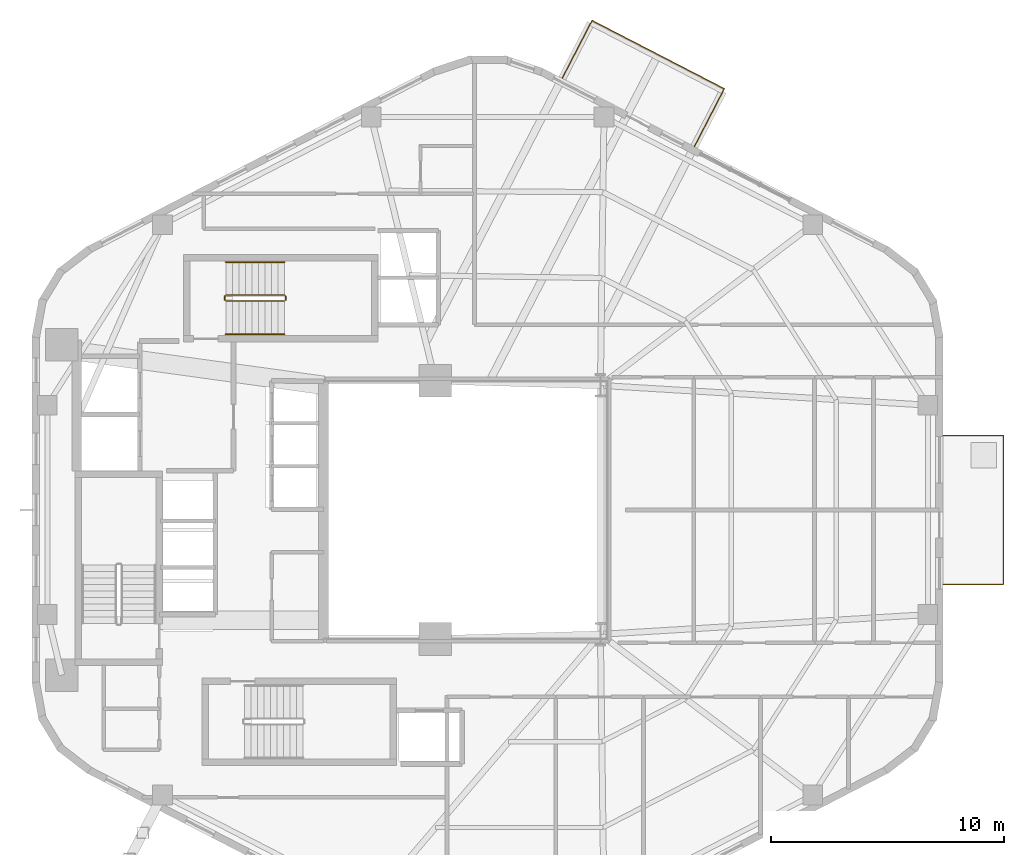
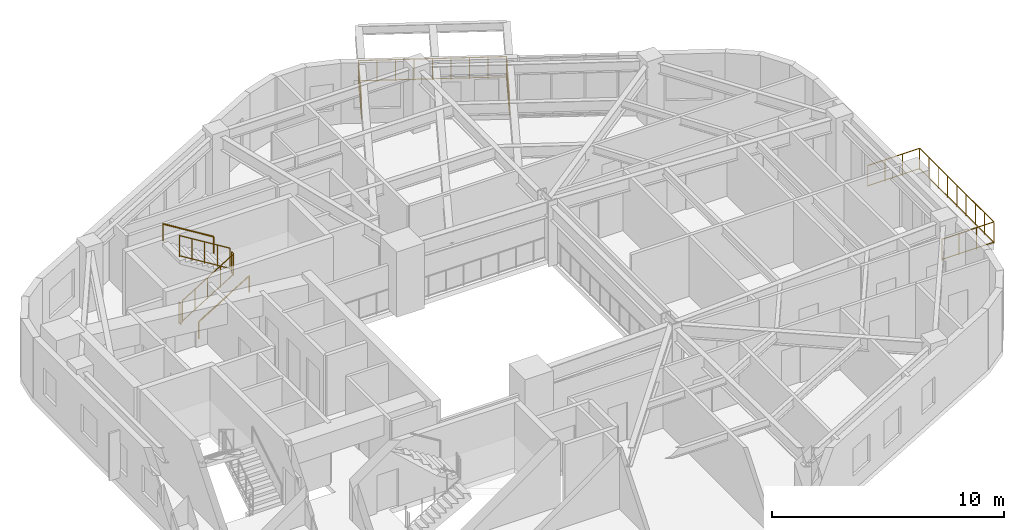
# One storey, part 11 of 11: 8 railings.
"""IFC4 building model written with IfcOpenShell, lengths in metres."""

from ifc_helpers import new_model, si_unit, direction, frame, origin, origin_2d, place, context, subcontext, project, spatial, circle, extrude, material, type_object, element, save


model = new_model("IFC4")

# Units and contexts
model_context = context("Model", 3, precision=1e-05, world=origin(), true_north=direction((0.0, 1.0)))
body_context = subcontext(model_context, "Body", "Model", "MODEL_VIEW")
ifc_project = project(units=[si_unit("LENGTHUNIT", "METRE"), si_unit("AREAUNIT", "SQUARE_METRE"), si_unit("VOLUMEUNIT", "CUBIC_METRE"), si_unit("PLANEANGLEUNIT", "RADIAN"), si_unit("MASSUNIT", "GRAM", prefix="KILO"), si_unit("THERMODYNAMICTEMPERATUREUNIT", "KELVIN"), si_unit("POWERUNIT", "WATT")], contexts=[model_context])

# Site, building, storey
site_placement = place(None, origin())
site = spatial("IfcSite", under=ifc_project, at=site_placement, CompositionType="ELEMENT")
building_placement = place(site_placement, origin())
building = spatial("IfcBuilding", under=site, at=building_placement, Name="Skarre Station Tower", CompositionType="ELEMENT")
storey_placement = place(building_placement, frame((0.0, 0.0, 167.10009765625)))
storey = spatial("IfcBuildingStorey", under=building, at=storey_placement, Name="L45", CompositionType="ELEMENT", Elevation=167.10009765625)

# Railings
ifc_material_1 = material(Name="Stainless Steel Grade 316L & Laminated Safety Glass", Category="steel")
railing_type_1 = type_object("IfcRailingType", Name="Laminated Glass & Stainless Terrace Guardrail 1150", PredefinedType="BALUSTRADE", material=ifc_material_1)
railing_1_placement = place(storey_placement, frame((37.81103515625, 42.554931640625, 0.0)))
element("IfcRailing", 1, at=railing_1_placement, inside=storey, type_object=railing_type_1, Name="L45 SG-2 Conservatory Terrace Guardrail", PredefinedType="BALUSTRADE", context=body_context, shape_type="SweptSolid", body=[
    extrude(circle(Radius=0.02392578125, at=origin_2d()), frame((0.0, 0.0, 1.1259765625), z_axis=(0.458520300299, 0.888683933811, 0.0), x_axis=(-0.888683933811, 0.458520300299, 0.0)), (0.0, 0.0, 1.0), 2.78955078125),
    extrude(circle(Radius=0.02099609375, at=origin_2d()), frame((0.0, 0.0, 0.06005859375), z_axis=(0.458520300299, 0.888683933811, 0.0), x_axis=(-0.888683933811, 0.458520300299, 0.0)), (0.0, 0.0, 1.0), 2.78955078125),
    extrude(circle(Radius=0.02392578125, at=origin_2d()), frame((1.279052734375, 2.47900390625, 1.1259765625), z_axis=(0.888635212, -0.458614718467, 0.0), x_axis=(0.458614718467, 0.888635212, 0.0)), (0.0, 0.0, 1.0), 6.39501953125),
    extrude(circle(Radius=0.02099609375, at=origin_2d()), frame((1.279052734375, 2.47900390625, 0.06005859375), z_axis=(0.888635212, -0.458614718467, 0.0), x_axis=(0.458614718467, 0.888635212, 0.0)), (0.0, 0.0, 1.0), 6.39501953125),
    extrude(circle(Radius=0.02392578125, at=origin_2d()), frame((6.9619140625, -0.453857421875, 1.1259765625), z_axis=(-0.458796714428, -0.888541262312, 0.0), x_axis=(0.888541262312, -0.458796714428, 0.0)), (0.0, 0.0, 1.0), 2.7900390625),
    extrude(circle(Radius=0.02099609375, at=origin_2d()), frame((6.9619140625, -0.453857421875, 0.06005859375), z_axis=(-0.458796714428, -0.888541262312, 0.0), x_axis=(0.888541262312, -0.458796714428, 0.0)), (0.0, 0.0, 1.0), 2.7900390625),
    extrude(circle(Radius=0.02099609375, at=origin_2d()), origin(), (0.0, 0.0, 1.0), 1.101806640625),
    extrude(circle(Radius=0.02099609375, at=origin_2d()), frame((0.31982421875, 0.61962890625, 0.0)), (0.0, 0.0, 1.0), 1.101806640625),
    extrude(circle(Radius=0.02099609375, at=origin_2d()), frame((0.6396484375, 1.239501953125, 0.0)), (0.0, 0.0, 1.0), 1.101806640625),
    extrude(circle(Radius=0.02099609375, at=origin_2d()), frame((0.959228515625, 1.859375, 0.0)), (0.0, 0.0, 1.0), 1.101806640625),
    extrude(circle(Radius=0.02099609375, at=origin_2d()), frame((1.279052734375, 2.47900390625, 0.0)), (0.0, 0.0, 1.0), 1.101806640625),
    extrude(circle(Radius=0.02099609375, at=origin_2d()), frame((1.989501953125, 2.1123046875, 0.0)), (0.0, 0.0, 1.0), 1.101806640625),
    extrude(circle(Radius=0.02099609375, at=origin_2d()), frame((2.69970703125, 1.745849609375, 0.0)), (0.0, 0.0, 1.0), 1.101806640625),
    extrude(circle(Radius=0.02099609375, at=origin_2d()), frame((3.41015625, 1.379150390625, 0.0)), (0.0, 0.0, 1.0), 1.101806640625),
    extrude(circle(Radius=0.02099609375, at=origin_2d()), frame((4.12060546875, 1.0126953125, 0.0)), (0.0, 0.0, 1.0), 1.101806640625),
    extrude(circle(Radius=0.02099609375, at=origin_2d()), frame((4.830810546875, 0.64599609375, 0.0)), (0.0, 0.0, 1.0), 1.101806640625),
    extrude(circle(Radius=0.02099609375, at=origin_2d()), frame((5.541259765625, 0.279296875, 0.0)), (0.0, 0.0, 1.0), 1.101806640625),
    extrude(circle(Radius=0.02099609375, at=origin_2d()), frame((6.25146484375, -0.087158203125, 0.0)), (0.0, 0.0, 1.0), 1.101806640625),
    extrude(circle(Radius=0.02099609375, at=origin_2d()), frame((6.9619140625, -0.453857421875, 0.0)), (0.0, 0.0, 1.0), 1.101806640625),
    extrude(circle(Radius=0.02099609375, at=origin_2d()), frame((6.641845703125, -1.07373046875, 0.0)), (0.0, 0.0, 1.0), 1.101806640625),
    extrude(circle(Radius=0.02099609375, at=origin_2d()), frame((6.32177734375, -1.693359375, 0.0)), (0.0, 0.0, 1.0), 1.101806640625),
    extrude(circle(Radius=0.02099609375, at=origin_2d()), frame((6.001953125, -2.31298828125, 0.0)), (0.0, 0.0, 1.0), 1.101806640625),
    extrude(circle(Radius=0.02099609375, at=origin_2d()), frame((5.681884765625, -2.932861328125, 0.0)), (0.0, 0.0, 1.0), 1.101806640625),
])
railing_2_placement = place(storey_placement, frame((54.181884765625, 20.800048828125, 0.0)))
element("IfcRailing", 2, at=railing_2_placement, inside=storey, type_object=railing_type_1, Name="L45 TB-L45-F5 Tree-Balcony Guardrail", PredefinedType="BALUSTRADE", context=body_context, shape_type="SweptSolid", body=[
    extrude(circle(Radius=0.02392578125, at=origin_2d()), frame((0.0, 0.0, 1.1259765625), z_axis=(1.0, 0.0, 0.0), x_axis=(0.0, 1.0, 0.0)), (0.0, 0.0, 1.0), 2.590087890625),
    extrude(circle(Radius=0.02099609375, at=origin_2d()), frame((0.0, 0.0, 0.06005859375), z_axis=(1.0, 0.0, 0.0), x_axis=(0.0, 1.0, 0.0)), (0.0, 0.0, 1.0), 2.590087890625),
    extrude(circle(Radius=0.02392578125, at=origin_2d()), frame((2.590087890625, 0.0, 1.1259765625), z_axis=(0.0, 1.0, 0.0), x_axis=(-1.0, 0.0, 0.0)), (0.0, 0.0, 1.0), 6.39990234375),
    extrude(circle(Radius=0.02099609375, at=origin_2d()), frame((2.590087890625, 0.0, 0.06005859375), z_axis=(0.0, 1.0, 0.0), x_axis=(-1.0, 0.0, 0.0)), (0.0, 0.0, 1.0), 6.39990234375),
    extrude(circle(Radius=0.02392578125, at=origin_2d()), frame((2.590087890625, 6.39990234375, 1.1259765625), z_axis=(-1.0, 0.0, 0.0), x_axis=(0.0, -1.0, 0.0)), (0.0, 0.0, 1.0), 2.590087890625),
    extrude(circle(Radius=0.02099609375, at=origin_2d()), frame((2.590087890625, 6.39990234375, 0.06005859375), z_axis=(-1.0, 0.0, 0.0), x_axis=(0.0, -1.0, 0.0)), (0.0, 0.0, 1.0), 2.590087890625),
    extrude(circle(Radius=0.02099609375, at=origin_2d()), origin(), (0.0, 0.0, 1.0), 1.101806640625),
    extrude(circle(Radius=0.02099609375, at=origin_2d()), frame((0.86328125, 0.0, 0.0)), (0.0, 0.0, 1.0), 1.101806640625),
    extrude(circle(Radius=0.02099609375, at=origin_2d()), frame((1.726806640625, 0.0, 0.0)), (0.0, 0.0, 1.0), 1.101806640625),
    extrude(circle(Radius=0.02099609375, at=origin_2d()), frame((2.590087890625, 0.0, 0.0)), (0.0, 0.0, 1.0), 1.101806640625),
    extrude(circle(Radius=0.02099609375, at=origin_2d()), frame((2.590087890625, 0.800048828125, 0.0)), (0.0, 0.0, 1.0), 1.101806640625),
    extrude(circle(Radius=0.02099609375, at=origin_2d()), frame((2.590087890625, 1.60009765625, 0.0)), (0.0, 0.0, 1.0), 1.101806640625),
    extrude(circle(Radius=0.02099609375, at=origin_2d()), frame((2.590087890625, 2.39990234375, 0.0)), (0.0, 0.0, 1.0), 1.101806640625),
    extrude(circle(Radius=0.02099609375, at=origin_2d()), frame((2.590087890625, 3.199951171875, 0.0)), (0.0, 0.0, 1.0), 1.101806640625),
    extrude(circle(Radius=0.02099609375, at=origin_2d()), frame((2.590087890625, 4.0, 0.0)), (0.0, 0.0, 1.0), 1.101806640625),
    extrude(circle(Radius=0.02099609375, at=origin_2d()), frame((2.590087890625, 4.7998046875, 0.0)), (0.0, 0.0, 1.0), 1.101806640625),
    extrude(circle(Radius=0.02099609375, at=origin_2d()), frame((2.590087890625, 5.599853515625, 0.0)), (0.0, 0.0, 1.0), 1.101806640625),
    extrude(circle(Radius=0.02099609375, at=origin_2d()), frame((2.590087890625, 6.39990234375, 0.0)), (0.0, 0.0, 1.0), 1.101806640625),
    extrude(circle(Radius=0.02099609375, at=origin_2d()), frame((1.726806640625, 6.39990234375, 0.0)), (0.0, 0.0, 1.0), 1.101806640625),
    extrude(circle(Radius=0.02099609375, at=origin_2d()), frame((0.86328125, 6.39990234375, 0.0)), (0.0, 0.0, 1.0), 1.101806640625),
    extrude(circle(Radius=0.02099609375, at=origin_2d()), frame((0.0, 6.39990234375, 0.0)), (0.0, 0.0, 1.0), 1.101806640625),
])
ifc_material_2 = material(Name="Powder-Coated Tubular Steel", Category="steel")
railing_type_2 = type_object("IfcRailingType", Name="Painted Steel Ramp & Stair Handrail 920", PredefinedType="HANDRAIL", material=ifc_material_2)
railing_3_placement = place(storey_placement, frame((23.35009765625, 31.550048828125, 0.17236328125)))
element("IfcRailing", 3, at=railing_3_placement, inside=storey, type_object=railing_type_2, Name="L45 ST-3 stair handrail 1", PredefinedType="HANDRAIL", context=body_context, shape_type="SweptSolid", body=[
    extrude(circle(Radius=0.02392578125, at=origin_2d()), frame((0.0, 0.0, 0.8759765625), z_axis=(0.851400495292, 0.0, 0.524516154772), x_axis=(0.0, 1.0, 0.0)), (0.0, 0.0, 1.0), 2.9599609375),
    extrude(circle(Radius=0.02099609375, at=origin_2d()), origin(), (0.0, 0.0, 1.0), 0.851806640625),
    extrude(circle(Radius=0.02099609375, at=origin_2d()), frame((2.52001953125, 0.0, 1.552490234375)), (0.0, 0.0, 1.0), 0.851806640625),
])
railing_4_placement = place(storey_placement, frame((25.8701171875, 34.64990234375, 1.8974609375)))
element("IfcRailing", 4, at=railing_4_placement, inside=storey, type_object=railing_type_2, Name="L45 ST-3 stair handrail 2", PredefinedType="HANDRAIL", context=body_context, shape_type="SweptSolid", body=[
    extrude(circle(Radius=0.02392578125, at=origin_2d()), frame((0.0, 0.0, 0.8759765625), z_axis=(-0.851400495292, 0.0, 0.524516154772), x_axis=(0.0, -1.0, 0.0)), (0.0, 0.0, 1.0), 2.9599609375),
    extrude(circle(Radius=0.02099609375, at=origin_2d()), origin(), (0.0, 0.0, 1.0), 0.851806640625),
    extrude(circle(Radius=0.02099609375, at=origin_2d()), frame((-2.52001953125, 0.0, 1.552490234375)), (0.0, 0.0, 1.0), 0.851806640625),
])
railing_type_3 = type_object("IfcRailingType", Name="Painted Steel Stairwell Guardrail 1100", PredefinedType="GUARDRAIL", material=ifc_material_2)
railing_5_placement = place(storey_placement, frame((23.35009765625, 32.969970703125, 0.17236328125)))
element("IfcRailing", 5, at=railing_5_placement, inside=storey, type_object=railing_type_3, Name="L45 ST-3 stair guard 1", PredefinedType="GUARDRAIL", context=body_context, shape_type="SweptSolid", body=[
    extrude(circle(Radius=0.02392578125, at=origin_2d()), frame((0.0, 0.0, 1.1259765625), z_axis=(0.851400495292, 0.0, 0.524516154772), x_axis=(0.0, 1.0, 0.0)), (0.0, 0.0, 1.0), 2.9599609375),
    extrude(circle(Radius=0.02099609375, at=origin_2d()), frame((0.0, 0.0, 0.06005859375), z_axis=(0.851400495292, 0.0, 0.524516154772), x_axis=(0.0, 1.0, 0.0)), (0.0, 0.0, 1.0), 2.9599609375),
    extrude(circle(Radius=0.02099609375, at=origin_2d()), origin(), (0.0, 0.0, 1.0), 1.101806640625),
    extrude(circle(Radius=0.02099609375, at=origin_2d()), frame((0.6298828125, 0.0, 0.38818359375)), (0.0, 0.0, 1.0), 1.101806640625),
    extrude(circle(Radius=0.02099609375, at=origin_2d()), frame((1.260009765625, 0.0, 0.7763671875)), (0.0, 0.0, 1.0), 1.101806640625),
    extrude(circle(Radius=0.02099609375, at=origin_2d()), frame((1.89013671875, 0.0, 1.164306640625)), (0.0, 0.0, 1.0), 1.101806640625),
    extrude(circle(Radius=0.02099609375, at=origin_2d()), frame((2.52001953125, 0.0, 1.552490234375)), (0.0, 0.0, 1.0), 1.101806640625),
])
railing_6_placement = place(storey_placement, frame((25.919921875, 33.02001953125, 1.724853515625)))
element("IfcRailing", 6, at=railing_6_placement, inside=storey, type_object=railing_type_3, Name="L45 ST-3 stair guard 2", PredefinedType="GUARDRAIL", context=body_context, shape_type="SweptSolid", body=[
    extrude(circle(Radius=0.02392578125, at=origin_2d()), frame((0.0, 0.0, 1.1259765625), z_axis=(0.0, 1.0, 0.0), x_axis=(-1.0, 0.0, 0.0)), (0.0, 0.0, 1.0), 0.159912109375),
    extrude(circle(Radius=0.02099609375, at=origin_2d()), frame((0.0, 0.0, 0.06005859375), z_axis=(0.0, 1.0, 0.0), x_axis=(-1.0, 0.0, 0.0)), (0.0, 0.0, 1.0), 0.159912109375),
    extrude(circle(Radius=0.02099609375, at=origin_2d()), origin(), (0.0, 0.0, 1.0), 1.101806640625),
    extrude(circle(Radius=0.02099609375, at=origin_2d()), frame((0.0, 0.159912109375, 0.0)), (0.0, 0.0, 1.0), 1.101806640625),
])
railing_7_placement = place(storey_placement, frame((25.8701171875, 33.22998046875, 1.8974609375)))
element("IfcRailing", 7, at=railing_7_placement, inside=storey, type_object=railing_type_3, Name="L45 ST-3 stair guard 3", PredefinedType="GUARDRAIL", context=body_context, shape_type="SweptSolid", body=[
    extrude(circle(Radius=0.02392578125, at=origin_2d()), frame((0.0, 0.0, 1.1259765625), z_axis=(-0.851400495292, 0.0, 0.524516154772), x_axis=(0.0, -1.0, 0.0)), (0.0, 0.0, 1.0), 2.9599609375),
    extrude(circle(Radius=0.02099609375, at=origin_2d()), frame((0.0, 0.0, 0.06005859375), z_axis=(-0.851400495292, 0.0, 0.524516154772), x_axis=(0.0, -1.0, 0.0)), (0.0, 0.0, 1.0), 2.9599609375),
    extrude(circle(Radius=0.02099609375, at=origin_2d()), origin(), (0.0, 0.0, 1.0), 1.101806640625),
    extrude(circle(Radius=0.02099609375, at=origin_2d()), frame((-0.6298828125, 0.0, 0.38818359375)), (0.0, 0.0, 1.0), 1.101806640625),
    extrude(circle(Radius=0.02099609375, at=origin_2d()), frame((-1.260009765625, 0.0, 0.7763671875)), (0.0, 0.0, 1.0), 1.101806640625),
    extrude(circle(Radius=0.02099609375, at=origin_2d()), frame((-1.89013671875, 0.0, 1.164306640625)), (0.0, 0.0, 1.0), 1.101806640625),
    extrude(circle(Radius=0.02099609375, at=origin_2d()), frame((-2.52001953125, 0.0, 1.552490234375)), (0.0, 0.0, 1.0), 1.101806640625),
])
railing_8_placement = place(storey_placement, frame((23.300048828125, 33.02001953125, 0.0)))
element("IfcRailing", 8, at=railing_8_placement, inside=storey, type_object=railing_type_3, Name="L45 ST-3 stair guard 4", PredefinedType="GUARDRAIL", context=body_context, shape_type="SweptSolid", body=[
    extrude(circle(Radius=0.02392578125, at=origin_2d()), frame((0.0, 0.0, 1.1259765625), z_axis=(0.0, 1.0, 0.0), x_axis=(-1.0, 0.0, 0.0)), (0.0, 0.0, 1.0), 0.159912109375),
    extrude(circle(Radius=0.02099609375, at=origin_2d()), frame((0.0, 0.0, 0.06005859375), z_axis=(0.0, 1.0, 0.0), x_axis=(-1.0, 0.0, 0.0)), (0.0, 0.0, 1.0), 0.159912109375),
    extrude(circle(Radius=0.02099609375, at=origin_2d()), origin(), (0.0, 0.0, 1.0), 1.101806640625),
    extrude(circle(Radius=0.02099609375, at=origin_2d()), frame((0.0, 0.159912109375, 0.0)), (0.0, 0.0, 1.0), 1.101806640625),
])

save(model, "model.ifc")
